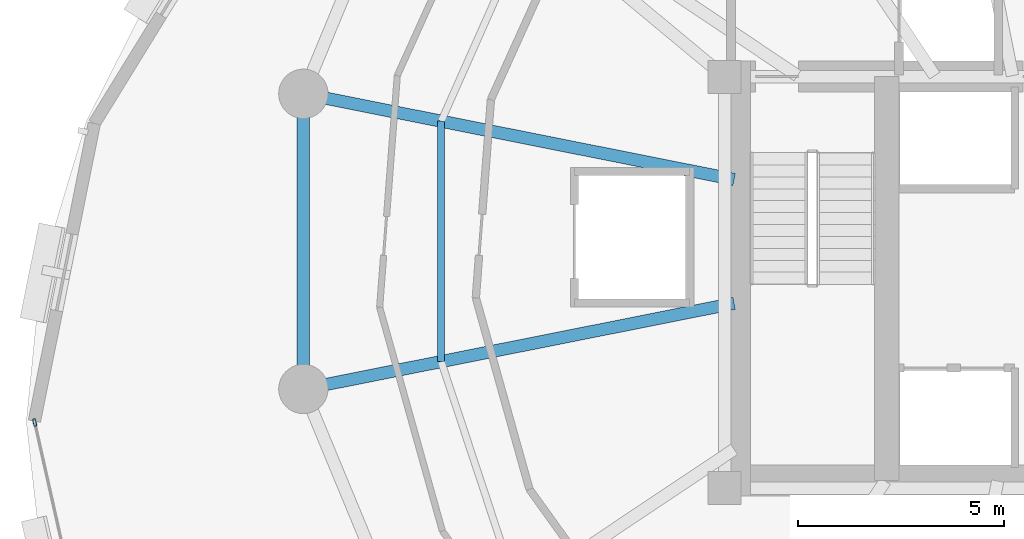
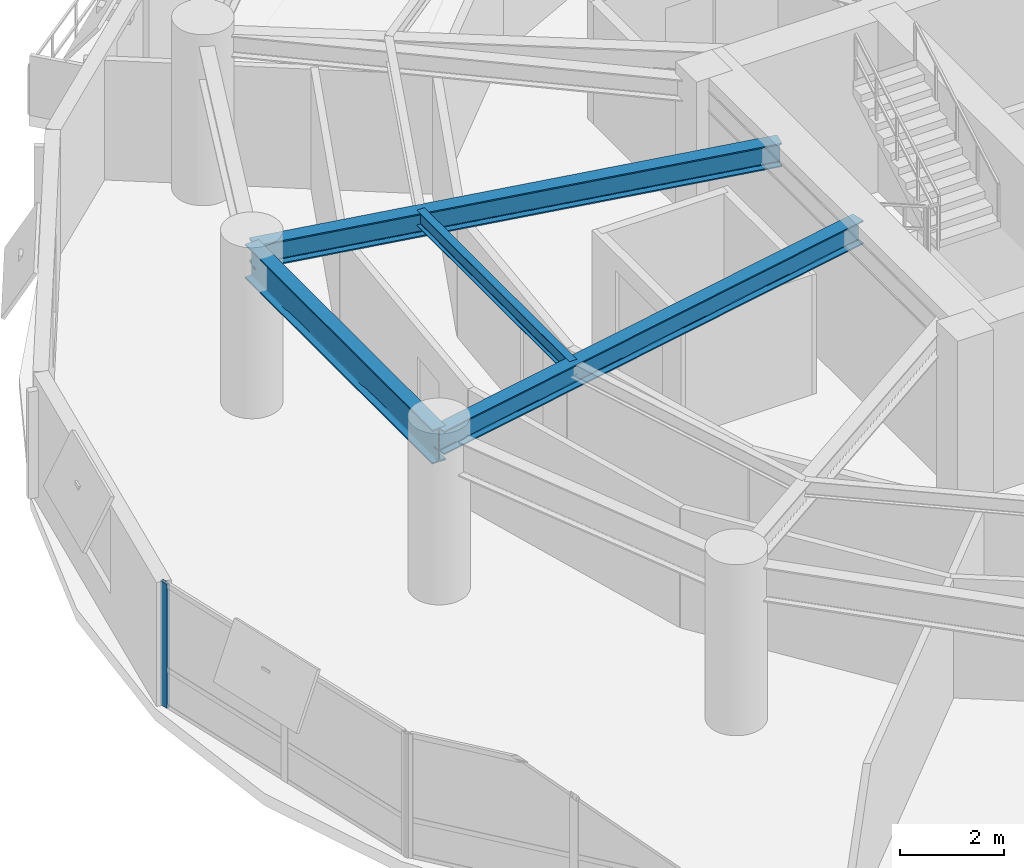
# One storey, part 4 of 15: 4 beams, 1 member, 1 element without a shape of its own.
"""IFC4 building model written with IfcOpenShell, lengths in metres."""

import ifcopenshell
import ifcopenshell.guid

model = None  # the IFC model being written
_history = None  # IfcOwnerHistory: only IFC2X3 demands one
_inside = {}  # id of a spatial element -> (the spatial element, [elements in it])
_under = {}  # id of a project, library or spatial element -> (it, [spatial elements below it])
_declared = {}  # id of a project -> (the project, [libraries it declares])
_typed = {}  # id of a type object -> (the type object, [elements of that type])
_made_of = {}  # id of a material, layer set ... -> (it, [elements and type objects made of it])


def new_model(schema):
    """Start an empty IFC model of exactly this schema.

    Asked for "IFC4X3", IfcOpenShell would pick the latest addendum, in which some entities
    have other attributes; the version numbers below select the first issue.
    IFC2X3 requires an IfcOwnerHistory on every rooted entity: one is made here for all.
    """
    global model, _history
    if schema == "IFC4X3":
        model = ifcopenshell.file(schema_version=(4, 3, 0, 0))
    else:
        model = ifcopenshell.file(schema=schema)
    _inside.clear()
    _under.clear()
    _declared.clear()
    _typed.clear()
    _made_of.clear()
    _history = None
    if model.schema == "IFC2X3":
        org = make("IfcOrganization", Name="unknown")
        user = make(
            "IfcPersonAndOrganization",
            ThePerson=make("IfcPerson", FamilyName="unknown"),
            TheOrganization=org,
        )
        app = make(
            "IfcApplication",
            ApplicationDeveloper=org,
            Version="unknown",
            ApplicationFullName="unknown",
            ApplicationIdentifier="unknown",
        )
        _history = make(
            "IfcOwnerHistory",
            OwningUser=user,
            OwningApplication=app,
            ChangeAction="ADDED",
            CreationDate=0,
        )
    return model


def make(cls, **values):
    """One entity of the class cls with the attributes given. An attribute that is None is left unset."""
    return model.create_entity(
        cls, **{name: value for name, value in values.items() if value is not None}
    )


def rooted(cls, **values):
    """An entity with a GlobalId (a new one), such as an element, a storey or a relation."""
    return make(cls, GlobalId=ifcopenshell.guid.new(), OwnerHistory=_history, **values)


def si_unit(unit_type, name, prefix=None):
    """IfcSIUnit, for example si_unit("LENGTHUNIT", "METRE", prefix="MILLI")."""
    return make("IfcSIUnit", UnitType=unit_type, Prefix=prefix, Name=name)


def assignment(units):
    """IfcUnitAssignment: the units of a project."""
    return None if units is None else make("IfcUnitAssignment", Units=units)


def point(xyz):
    """IfcCartesianPoint."""
    return None if xyz is None else make("IfcCartesianPoint", Coordinates=xyz)


def direction(xyz):
    """IfcDirection."""
    return None if xyz is None else make("IfcDirection", DirectionRatios=xyz)


def frame(location, z_axis=None, x_axis=None):
    """IfcAxis2Placement3D, a coordinate frame: its origin and axes. An axis left out is left unset."""
    return make(
        "IfcAxis2Placement3D",
        Location=point(location),
        Axis=direction(z_axis),
        RefDirection=direction(x_axis),
    )


def frame_2d(location, x_axis=None):
    """IfcAxis2Placement2D, a coordinate frame in the plane: its origin and x axis."""
    return make(
        "IfcAxis2Placement2D", Location=point(location), RefDirection=direction(x_axis)
    )


def origin():
    """The frame at (0, 0, 0) with its axes left unset."""
    return frame((0.0, 0.0, 0.0))


def origin_2d():
    """The frame at (0, 0) in the plane with its x axis left unset."""
    return frame_2d((0.0, 0.0))


def place(relative_to, where):
    """IfcLocalPlacement: puts the frame where relative to a parent placement (None: the world)."""
    return make(
        "IfcLocalPlacement", PlacementRelTo=relative_to, RelativePlacement=where
    )


def context(
    kind, dimensions, precision=None, world=None, true_north=None, identifier=None
):
    """IfcGeometricRepresentationContext, for example the 3D "Model" context."""
    return make(
        "IfcGeometricRepresentationContext",
        ContextIdentifier=identifier,
        ContextType=kind,
        CoordinateSpaceDimension=dimensions,
        Precision=precision,
        WorldCoordinateSystem=world,
        TrueNorth=true_north,
    )


def subcontext(parent, identifier, kind, view, scale=None):
    """IfcGeometricRepresentationSubContext, for example "Body" below "Model"."""
    return make(
        "IfcGeometricRepresentationSubContext",
        ContextIdentifier=identifier,
        ContextType=kind,
        ParentContext=parent,
        TargetScale=scale,
        TargetView=view,
    )


def project(units=None, contexts=None):
    """IfcProject with its units and contexts."""
    return rooted(
        "IfcProject",
        Name="project",
        RepresentationContexts=contexts,
        UnitsInContext=assignment(units),
    )


def spatial(cls, under=None, at=None, **own):
    """A site, building, storey or space (cls), placed at a placement, below another one or the project."""
    s = rooted(cls, ObjectPlacement=at, **own)
    if under is not None:
        _under.setdefault(under.id(), (under, []))[1].append(s)
    return s


def profile(cls, at=None, kind="AREA", **sizes):
    """A parametric profile (cls). Its sizes go by their IFC names, for example OverallWidth=200.0."""
    return make(cls, ProfileType=kind, Position=at, **sizes)


def hollow_rectangle(**sizes):
    """IfcRectangleHollowProfileDef."""
    return profile("IfcRectangleHollowProfileDef", **sizes)


def i_section(**sizes):
    """IfcIShapeProfileDef."""
    return profile("IfcIShapeProfileDef", **sizes)


def extrude(swept, where, along, depth):
    """IfcExtrudedAreaSolid: the profile swept, set in the frame where, extruded along a direction by depth."""
    return make(
        "IfcExtrudedAreaSolid",
        SweptArea=swept,
        Position=where,
        ExtrudedDirection=direction(along),
        Depth=depth,
    )


def shape(context_of_items, identifier, shape_type, items):
    """IfcShapeRepresentation: the items that make up one representation, for example the "Body"."""
    return make(
        "IfcShapeRepresentation",
        ContextOfItems=context_of_items,
        RepresentationIdentifier=identifier,
        RepresentationType=shape_type,
        Items=items,
    )


def material(Name=None, Category=None):
    """IfcMaterial."""
    return make("IfcMaterial", Name=Name, Category=Category)


def layer(
    of_material, thickness, ventilated=None, Name=None, Category=None, Priority=None
):
    """IfcMaterialLayer: one layer of a wall or slab, of a material (None: an air gap)."""
    return make(
        "IfcMaterialLayer",
        Material=of_material,
        LayerThickness=thickness,
        IsVentilated=ventilated,
        Name=Name,
        Category=Category,
        Priority=Priority,
    )


def layer_set(layers, Name=None):
    """IfcMaterialLayerSet."""
    return make("IfcMaterialLayerSet", MaterialLayers=layers, LayerSetName=Name)


def material_profile(
    of_material, cross_section, Name=None, Category=None, Priority=None
):
    """IfcMaterialProfile: a cross section and its material."""
    return make(
        "IfcMaterialProfile",
        Name=Name,
        Material=of_material,
        Profile=cross_section,
        Priority=Priority,
        Category=Category,
    )


def profile_set(profiles, Name=None, composite=None):
    """IfcMaterialProfileSet."""
    return make(
        "IfcMaterialProfileSet",
        Name=Name,
        MaterialProfiles=profiles,
        CompositeProfile=composite,
    )


def made_of(thing, what):
    """Note that an element or type object is made of a material, layer set ...; save() writes the relation."""
    if what is not None:
        _made_of.setdefault(what.id(), (what, []))[1].append(thing)
    return thing


def type_object(cls, material=None, **own):
    """A type object (cls), such as IfcWallType, which elements share."""
    return made_of(rooted(cls, **own), material)


def element(
    cls,
    number,
    at=None,
    inside=None,
    cuts=None,
    type_object=None,
    material=None,
    context=None,
    identifier="Body",
    shape_type=None,
    held_by="IfcProductDefinitionShape",
    body=None,
    shapes=None,
    **own,
):
    """One element of the class cls, such as IfcWall. Its Tag is "e" and its number.

    at: its placement. inside: the storey or other place that contains it. cuts: it is an
    opening in that element (IfcRelVoidsElement). A single representation is given by context,
    identifier, shape_type and body (its items); several are given by shapes. held_by: the class
    of the entity that holds the representations. save() writes the other relations.
    """
    e = rooted(cls, Tag="e%d" % number, ObjectPlacement=at, **own)
    if body is not None:
        shapes = [shape(context, identifier, shape_type, body)]
    if shapes is not None:
        e.Representation = make(held_by, Representations=shapes)
    if inside is not None:
        _inside.setdefault(inside.id(), (inside, []))[1].append(e)
    if cuts is not None:
        rooted(
            "IfcRelVoidsElement", RelatingBuildingElement=cuts, RelatedOpeningElement=e
        )
    if type_object is not None:
        _typed.setdefault(type_object.id(), (type_object, []))[1].append(e)
    return made_of(e, material)


def aggregate(whole, parts):
    """IfcRelAggregates: a whole, such as a stair, and the parts it consists of."""
    return rooted("IfcRelAggregates", RelatingObject=whole, RelatedObjects=parts)


def save(model, path):
    """Write the relations noted so far, then the file.

    IfcRelAggregates (storeys below a building ...), IfcRelContainedInSpatialStructure (elements
    in a storey), IfcRelDefinesByType, IfcRelAssociatesMaterial and IfcRelDeclares: one each for
    every whole, place, type object, material and project.
    """
    for whole, parts in _under.values():
        aggregate(whole, parts)
    for where, things in _inside.values():
        rooted(
            "IfcRelContainedInSpatialStructure",
            RelatedElements=things,
            RelatingStructure=where,
        )
    for kind, things in _typed.values():
        rooted("IfcRelDefinesByType", RelatedObjects=things, RelatingType=kind)
    for what, things in _made_of.values():
        rooted("IfcRelAssociatesMaterial", RelatedObjects=things, RelatingMaterial=what)
    for by, libraries in _declared.values():
        rooted("IfcRelDeclares", RelatingContext=by, RelatedDefinitions=libraries)
    model.write(path)


model = new_model("IFC4")

# Units and contexts
model_context = context("Model", 3, precision=1e-05, world=origin(), true_north=direction((0.0, 1.0)))
body_context = subcontext(model_context, "Body", "Model", "MODEL_VIEW")
ifc_project = project(units=[si_unit("LENGTHUNIT", "METRE"), si_unit("AREAUNIT", "SQUARE_METRE"), si_unit("VOLUMEUNIT", "CUBIC_METRE"), si_unit("PLANEANGLEUNIT", "RADIAN"), si_unit("MASSUNIT", "GRAM", prefix="KILO"), si_unit("THERMODYNAMICTEMPERATUREUNIT", "KELVIN"), si_unit("POWERUNIT", "WATT")], contexts=[model_context])

# Site, building, storey
site_placement = place(None, origin())
site = spatial("IfcSite", under=ifc_project, at=site_placement, CompositionType="ELEMENT")
building_placement = place(site_placement, origin())
building = spatial("IfcBuilding", under=site, at=building_placement, Name="Ocrelia Relay Tower", CompositionType="ELEMENT")
storey_placement = place(building_placement, frame((0.0, 0.0, 141.800048828125)))
storey = spatial("IfcBuildingStorey", under=building, at=storey_placement, Name="L33", CompositionType="ELEMENT", Elevation=141.800048828125)

# Beams
ifc_material_1 = material(Name="Steel S355", Category="steel")
ifc_material_profile_1 = material_profile(ifc_material_1, i_section(OverallWidth=0.300048828125, OverallDepth=0.550048828125, WebThickness=0.014892578125, FlangeThickness=0.029052734375, FilletRadius=0.027099609375, at=origin_2d()), Name="HEB 550")
ifc_profile_set_1 = profile_set([ifc_material_profile_1], Name="Steel S355")
beam_type_1 = type_object("IfcBeamType", Name="BM-HEB550", PredefinedType="BEAM", material=ifc_profile_set_1)
for number, where, z_axis, x_axis, name in (
    (1, (15.95361328125, 29.589599609375, 3.445068359375), (0.980787592082, -0.195078700063, 0.0), (0.195078700063, 0.980787592082, 0.0), "L33 Radial Floor Girder R08"),
    (2, (15.95361328125, 22.410400390625, 3.445068359375), (0.980787592082, 0.195078700063, 0.0), (-0.195078700063, 0.980787592082, 0.0), "L33 Radial Floor Girder R09"),
):
    element("IfcBeam", number, at=place(storey_placement, frame(where, z_axis=z_axis, x_axis=x_axis)), inside=storey, type_object=beam_type_1, Name=name, PredefinedType="BEAM", context=body_context, shape_type="SweptSolid", body=[
        extrude(i_section(OverallWidth=0.300048828125, OverallDepth=0.550048828125, WebThickness=0.014892578125, FlangeThickness=0.029052734375, FilletRadius=0.027099609375, at=origin_2d()), origin(), (0.0, 0.0, 1.0), 10.681640625),
    ])
ifc_material_profile_2 = material_profile(ifc_material_1, i_section(OverallWidth=0.300048828125, OverallDepth=0.800048828125, WebThickness=0.017578125, FlangeThickness=0.032958984375, FilletRadius=0.030029296875, at=origin_2d()), Name="HEB 800")
ifc_profile_set_2 = profile_set([ifc_material_profile_2], Name="Steel S355")
beam_type_2 = type_object("IfcBeamType", Name="BM-HEB800", PredefinedType="BEAM", material=ifc_profile_set_2)
beam_1_placement = place(storey_placement, frame((15.95361328125, 29.589599609375, 3.320068359375), z_axis=(0.0, -1.0, 0.0), x_axis=(1.0, 0.0, 0.0)))
element("IfcBeam", 3, at=beam_1_placement, inside=storey, type_object=beam_type_2, Name="L33 Perimeter Spandrel Beam S08", PredefinedType="BEAM", context=body_context, shape_type="SweptSolid", body=[
    extrude(i_section(OverallWidth=0.300048828125, OverallDepth=0.800048828125, WebThickness=0.017578125, FlangeThickness=0.032958984375, FilletRadius=0.030029296875, at=origin_2d()), origin(), (0.0, 0.0, 1.0), 7.17919921875),
])
ifc_material_profile_3 = material_profile(ifc_material_1, i_section(OverallWidth=0.169921875, OverallDepth=0.360107421875, WebThickness=0.008056640625, FlangeThickness=0.0126953125, FilletRadius=0.01806640625, at=origin_2d()), Name="IPE 360")
ifc_profile_set_3 = profile_set([ifc_material_profile_3], Name="Steel S355")
beam_type_3 = type_object("IfcBeamType", Name="BM-IPE360", PredefinedType="JOIST", material=ifc_profile_set_3)
beam_2_placement = place(storey_placement, frame((19.305908203125, 28.9228515625, 3.5400390625), z_axis=(0.0, -1.0, 0.0), x_axis=(1.0, 0.0, 0.0)))
element("IfcBeam", 4, at=beam_2_placement, inside=storey, type_object=beam_type_3, Name="L33 Secondary Floor Joist J08", PredefinedType="JOIST", context=body_context, shape_type="SweptSolid", body=[
    extrude(i_section(OverallWidth=0.169921875, OverallDepth=0.360107421875, WebThickness=0.008056640625, FlangeThickness=0.0126953125, FilletRadius=0.01806640625, at=origin_2d()), origin(), (0.0, 0.0, 1.0), 5.845703125),
])

# Curtain wall, member
ifc_material_2 = material(Name="Aluminium and solar-control low-E glass", Category="aluminium")
ifc_layer = layer(ifc_material_2, 0.179931640625, Name="Aluminium and solar-control low-E glass")
ifc_layer_set = layer_set([ifc_layer], Name="Aluminium and solar-control low-E glass")
curtain_wall_type = type_object("IfcCurtainWallType", Name="CW-SYS-Z2-SWIT", PredefinedType="NOTDEFINED", material=ifc_layer_set)
curtain_wall_placement = place(storey_placement, origin())
curtain_wall = element("IfcCurtainWall", 5, at=curtain_wall_placement, inside=storey, type_object=curtain_wall_type, Name="L33 Elliptical Tower Curtain Wall Bay 09", PredefinedType="NOTDEFINED")
ifc_material_3 = material(Name="Anodised bronze aluminium", Category="aluminium")
ifc_material_profile_4 = material_profile(ifc_material_3, hollow_rectangle(XDim=0.070068359375, YDim=0.179931640625, WallThickness=0.006103515625, at=origin_2d()), Name="CW-MUL-180x70")
ifc_profile_set_4 = profile_set([ifc_material_profile_4], Name="Anodised bronze aluminium")
member_type = type_object("IfcMemberType", Name="CW-SYS-Z2-SWIT-MUL", PredefinedType="MULLION", material=ifc_profile_set_4)
member_placement = place(storey_placement, frame((9.42041015625, 21.595703125, 0.0), z_axis=(0.0, 0.0, 1.0), x_axis=(0.975611079184, 0.219506314656, 0.0)))
member = element("IfcMember", 6, at=member_placement, type_object=member_type, Name="CW-Z2 mullion 1", PredefinedType="MULLION", context=body_context, shape_type="SweptSolid", body=[
    extrude(hollow_rectangle(XDim=0.070068359375, YDim=0.179931640625, WallThickness=0.006103515625, at=origin_2d()), origin(), (0.0, 0.0, 1.0), 2.89990234375),
])
aggregate(curtain_wall, [member])

save(model, "model.ifc")
